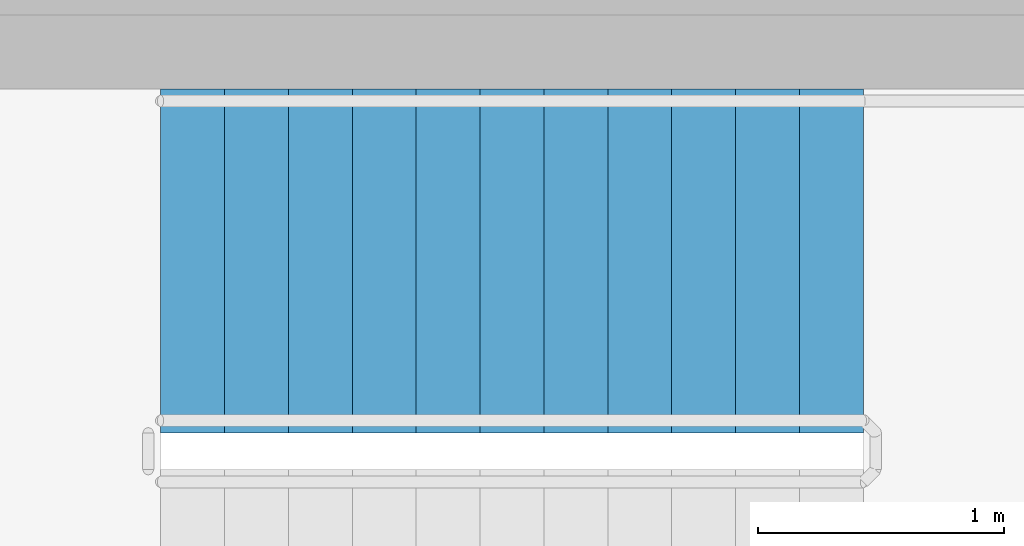
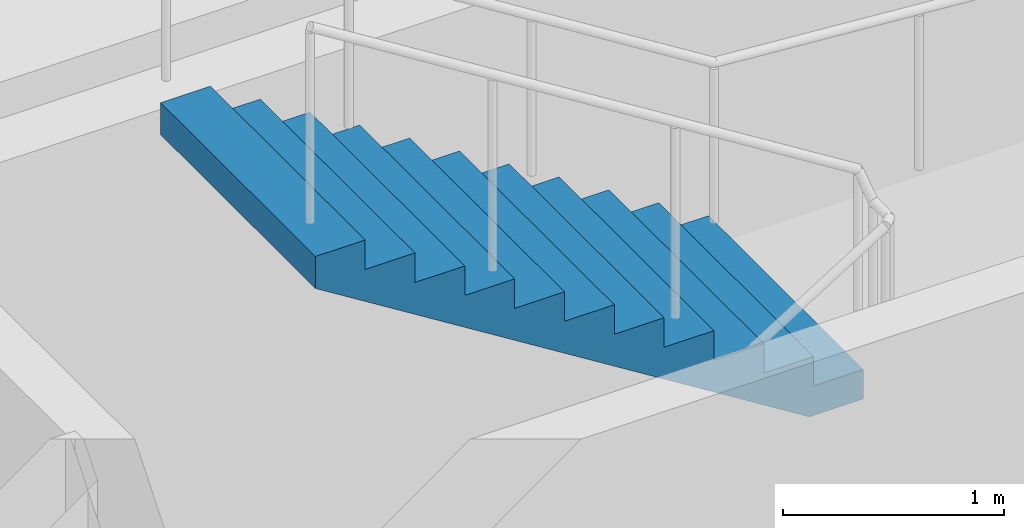
# One storey, part 9 of 10: 1 stair flight, 1 element without a shape of its own.
"""IFC4 building model written with IfcOpenShell, lengths in metres."""

from ifc_helpers import new_model, si_unit, direction, frame, origin, place, context, subcontext, project, spatial, polyline, outline, extrude, material, type_object, element, aggregate, save


model = new_model("IFC4")

# Units and contexts
model_context = context("Model", 3, precision=1e-05, world=origin(), true_north=direction((0.0, 1.0)))
body_context = subcontext(model_context, "Body", "Model", "MODEL_VIEW")
ifc_project = project(units=[si_unit("LENGTHUNIT", "METRE"), si_unit("AREAUNIT", "SQUARE_METRE"), si_unit("VOLUMEUNIT", "CUBIC_METRE"), si_unit("PLANEANGLEUNIT", "RADIAN"), si_unit("MASSUNIT", "GRAM", prefix="KILO")], contexts=[model_context])

# Site, building, storey
site_placement = place(None, origin())
site = spatial("IfcSite", under=ifc_project, at=site_placement, CompositionType="ELEMENT")
building_placement = place(site_placement, origin())
building = spatial("IfcBuilding", under=site, at=building_placement, Name="Rubra Terraces Tower", CompositionType="ELEMENT")
storey_placement = place(building_placement, frame((0.0, 0.0, 153.89990234375)))
storey = spatial("IfcBuildingStorey", under=building, at=storey_placement, Name="L37", CompositionType="ELEMENT", Elevation=153.89990234375)

# Stair, stair flight
ifc_material = material(Name="Concrete C40", Category="concrete")
stair_type = type_object("IfcStairType", Name="Core stair 1400", PredefinedType="HALF_TURN_STAIR", material=ifc_material)
stair_placement = place(storey_placement, origin())
stair = element("IfcStair", 1, at=stair_placement, inside=storey, type_object=stair_type, Name="L37 Exit stair S3", PredefinedType="HALF_TURN_STAIR")
stair_flight_type = type_object("IfcStairFlightType", Name="Core stair flight 1400", PredefinedType="STRAIGHT", material=ifc_material)
stair_flight_placement = place(storey_placement, frame((9.360107421875, 9.89990234375, 1.9501953125), z_axis=(0.0, 0.0, 1.0), x_axis=(-1.0, 0.0, 0.0)))
stair_flight = element("IfcStairFlight", 2, at=stair_flight_placement, type_object=stair_flight_type, Name="S3 flight 2", NumberOfRisers=12, NumberOfTreads=11, PredefinedType="STRAIGHT", RiserHeight=0.1625, TreadLength=0.26, context=body_context, shape_type="SweptSolid", body=[
    extrude(outline(polyline([(0.0, 0.0), (0.0, 0.16259765625), (0.260009765625, 0.16259765625), (0.260009765625, 0.324951171875), (0.52001953125, 0.324951171875), (0.52001953125, 0.487548828125), (0.780029296875, 0.487548828125), (0.780029296875, 0.64990234375), (1.0400390625, 0.64990234375), (1.0400390625, 0.8125), (1.300048828125, 0.8125), (1.300048828125, 0.97509765625), (1.56005859375, 0.97509765625), (1.56005859375, 1.137451171875), (1.820068359375, 1.137451171875), (1.820068359375, 1.300048828125), (2.080078125, 1.300048828125), (2.080078125, 1.46240234375), (2.340087890625, 1.46240234375), (2.340087890625, 1.625), (2.60009765625, 1.625), (2.60009765625, 1.78759765625), (2.860107421875, 1.78759765625), (2.860107421875, 1.949951171875), (2.860107421875, 1.61083984375), (0.28271484375, 0.0), (0.0, 0.0)])), frame((0.0, 0.699951171875, 0.0), z_axis=(0.0, -1.0, 0.0), x_axis=(1.0, 0.0, 0.0)), (0.0, 0.0, 1.0), 1.39990234375),
])
aggregate(stair, [stair_flight])

save(model, "model.ifc")
